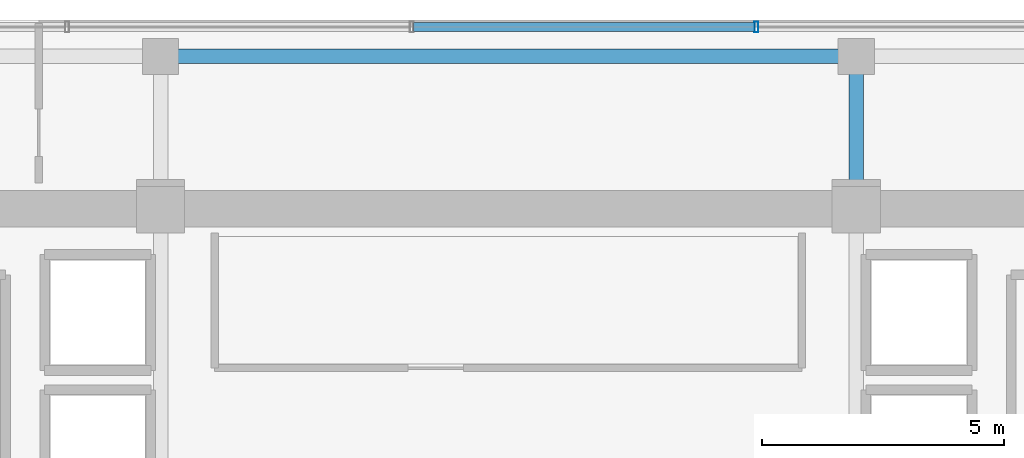
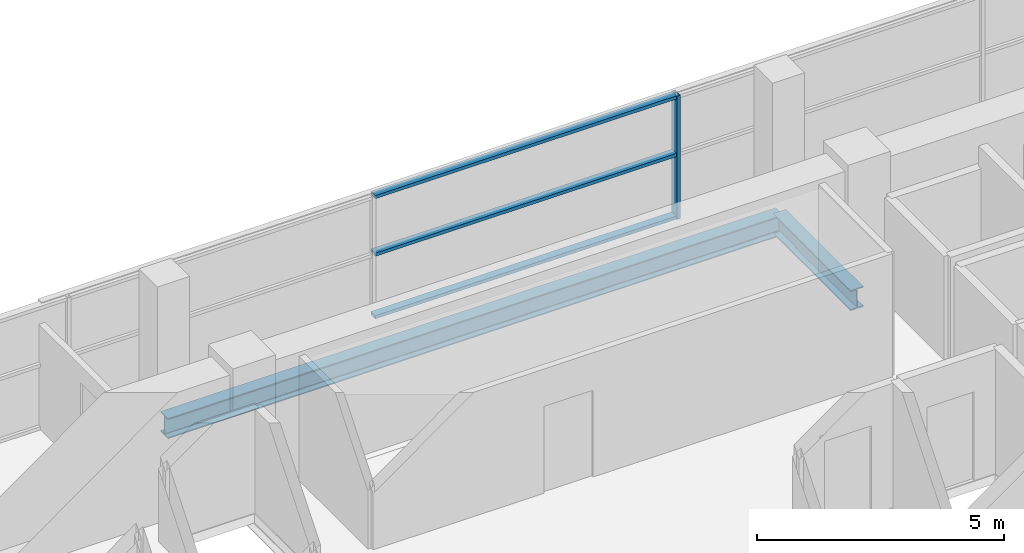
# One storey, part 15 of 25: 4 members, 2 beams, 1 element without a shape of its own.
"""IFC4 building model written with IfcOpenShell, lengths in metres."""

from ifc_helpers import new_model, si_unit, direction, frame, origin, origin_2d, place, context, subcontext, project, spatial, hollow_rectangle, i_section, extrude, source, transform, mapped, material, layer, layer_set, material_profile, profile_set, type_object, element, aggregate, save


model = new_model("IFC4")

# Units and contexts
model_context = context("Model", 3, precision=1e-05, world=origin(), true_north=direction((0.0, 1.0)))
body_context = subcontext(model_context, "Body", "Model", "MODEL_VIEW")
ifc_project = project(units=[si_unit("LENGTHUNIT", "METRE"), si_unit("AREAUNIT", "SQUARE_METRE"), si_unit("VOLUMEUNIT", "CUBIC_METRE"), si_unit("PLANEANGLEUNIT", "RADIAN"), si_unit("MASSUNIT", "GRAM", prefix="KILO")], contexts=[model_context])

# Site, building, storey
site_placement = place(None, origin())
site = spatial("IfcSite", under=ifc_project, at=site_placement, CompositionType="ELEMENT")
building_placement = place(site_placement, origin())
building = spatial("IfcBuilding", under=site, at=building_placement, Name="Zarnakvel Exchange Tower", CompositionType="ELEMENT")
storey_placement = place(building_placement, frame((0.0, 0.0, 169.300048828125)))
storey = spatial("IfcBuildingStorey", under=building, at=storey_placement, Name="L47", CompositionType="ELEMENT", Elevation=169.300048828125)

# Beams
ifc_material_1 = material(Name="Steel S355", Category="steel")
ifc_material_profile_1 = material_profile(ifc_material_1, i_section(OverallWidth=0.300048828125, OverallDepth=0.5, WebThickness=0.014404296875, FlangeThickness=0.028076171875, FilletRadius=0.027099609375, at=origin_2d()))
ifc_profile_set_1 = profile_set([ifc_material_profile_1], Name="Steel S355")
beam_type_1 = type_object("IfcBeamType", Name="G-06", PredefinedType="BEAM", material=ifc_profile_set_1)
beam_1_placement = place(storey_placement, frame((7.199951171875, 13.5, -0.47509765625), z_axis=(0.0, 1.0, 0.0), x_axis=(-1.0, 0.0, 0.0)))
element("IfcBeam", 1, at=beam_1_placement, inside=storey, type_object=beam_type_1, Name="L47 Tower N-S Frame Beam", PredefinedType="BEAM", context=body_context, shape_type="SweptSolid", body=[
    extrude(i_section(OverallWidth=0.300048828125, OverallDepth=0.5, WebThickness=0.014404296875, FlangeThickness=0.028076171875, FilletRadius=0.027099609375, at=origin_2d()), origin(), (0.0, 0.0, 1.0), 3.14990234375),
])
ifc_material_profile_2 = material_profile(ifc_material_1, i_section(OverallWidth=0.300048828125, OverallDepth=0.5, WebThickness=0.014404296875, FlangeThickness=0.028076171875, FilletRadius=0.027099609375, at=origin_2d()))
ifc_profile_set_2 = profile_set([ifc_material_profile_2], Name="Steel S355")
beam_type_2 = type_object("IfcBeamType", Name="SP-02", PredefinedType="SPANDREL", material=ifc_profile_set_2)
beam_2_placement = place(storey_placement, frame((-7.199951171875, 16.64990234375, -0.47509765625), z_axis=(1.0, 0.0, 0.0), x_axis=(0.0, 1.0, 0.0)))
element("IfcBeam", 2, at=beam_2_placement, inside=storey, type_object=beam_type_2, Name="L47 Tower E-W Frame Beam", PredefinedType="SPANDREL", context=body_context, shape_type="SweptSolid", body=[
    extrude(i_section(OverallWidth=0.300048828125, OverallDepth=0.5, WebThickness=0.014404296875, FlangeThickness=0.028076171875, FilletRadius=0.027099609375, at=origin_2d()), origin(), (0.0, 0.0, 1.0), 14.39990234375),
])

# Curtain wall, members
ifc_material_2 = material(Name="Architectural Bronze Anodised Aluminium", Category="aluminium")
ifc_layer = layer(ifc_material_2, 0.219970703125)
ifc_layer_set = layer_set([ifc_layer], Name="Architectural Bronze Anodised Aluminium")
curtain_wall_type = type_object("IfcCurtainWallType", Name="CW-03", PredefinedType="NOTDEFINED", material=ifc_layer_set)
curtain_wall_placement = place(storey_placement, origin())
curtain_wall = element("IfcCurtainWall", 3, at=curtain_wall_placement, inside=storey, type_object=curtain_wall_type, Name="L47 Curtain Wall CW-L47-N1 (CW-03)", PredefinedType="NOTDEFINED")
ifc_material_profile_3 = material_profile(ifc_material_2, hollow_rectangle(XDim=0.219970703125, YDim=0.080078125, WallThickness=0.0048828125, at=origin_2d()))
ifc_profile_set_3 = profile_set([ifc_material_profile_3], Name="Architectural Bronze Anodised Aluminium")
member_type_1 = type_object("IfcMemberType", Name="CWM-03", PredefinedType="MULLION", material=ifc_profile_set_3)
shared_shape_1 = source(origin(), body_context, "Body", "SweptSolid", [
    extrude(hollow_rectangle(XDim=0.219970703125, YDim=0.080078125, WallThickness=0.0048828125, at=origin_2d()), origin(), (0.0, 0.0, 1.0), 3.054931640625),
])
member_1_placement = place(storey_placement, frame((5.13330078125, 17.260009765625, 0.0), z_axis=(0.0, 0.0, 1.0), x_axis=(0.0, 1.0, 0.0)))
member_1 = element("IfcMember", 4, at=member_1_placement, type_object=member_type_1, Name="CW-03 mullion 5", PredefinedType="MULLION", context=body_context, shape_type="MappedRepresentation", body=[
    mapped(shared_shape_1, transform((0.0, 0.0, 0.0), x_axis=(1.0, 0.0, 0.0), y_axis=(0.0, 1.0, 0.0), z_axis=(0.0, 0.0, 1.0), scale=1.0)),
])
ifc_material_profile_4 = material_profile(ifc_material_2, hollow_rectangle(XDim=0.179931640625, YDim=0.080078125, WallThickness=0.00390625, at=origin_2d()))
ifc_profile_set_4 = profile_set([ifc_material_profile_4], Name="Architectural Bronze Anodised Aluminium")
member_type_2 = type_object("IfcMemberType", Name="CWT-03", PredefinedType="USERDEFINED", material=ifc_profile_set_4)
shared_shape_2 = source(origin(), body_context, "Body", "SweptSolid", [
    extrude(hollow_rectangle(XDim=0.179931640625, YDim=0.080078125, WallThickness=0.00390625, at=origin_2d()), origin(), (0.0, 0.0, 1.0), 7.05322265625),
])
member_2_placement = place(storey_placement, frame((-1.9599609375, 17.260009765625, 0.0400390625), z_axis=(1.0, 0.0, 0.0), x_axis=(0.0, 1.0, 0.0)))
member_2 = element("IfcMember", 5, at=member_2_placement, type_object=member_type_2, Name="CW-03 transom 4.1", ObjectType="TRANSOM", PredefinedType="USERDEFINED", context=body_context, shape_type="MappedRepresentation", body=[
    mapped(shared_shape_2, transform((0.0, 0.0, 0.0), x_axis=(1.0, 0.0, 0.0), y_axis=(0.0, 1.0, 0.0), z_axis=(0.0, 0.0, 1.0), scale=1.0)),
])
member_3_placement = place(storey_placement, frame((-1.9599609375, 17.260009765625, 1.588623046875), z_axis=(1.0, 0.0, 0.0), x_axis=(0.0, 1.0, 0.0)))
member_3 = element("IfcMember", 6, at=member_3_placement, type_object=member_type_2, Name="CW-03 transom 4.2", ObjectType="TRANSOM", PredefinedType="USERDEFINED", context=body_context, shape_type="MappedRepresentation", body=[
    mapped(shared_shape_2, transform((0.0, 0.0, 0.0), x_axis=(1.0, 0.0, 0.0), y_axis=(0.0, 1.0, 0.0), z_axis=(0.0, 0.0, 1.0), scale=1.0)),
])
member_4_placement = place(storey_placement, frame((-1.9599609375, 17.260009765625, 3.014892578125), z_axis=(1.0, 0.0, 0.0), x_axis=(0.0, 1.0, 0.0)))
member_4 = element("IfcMember", 7, at=member_4_placement, type_object=member_type_2, Name="CW-03 transom 4.3", ObjectType="TRANSOM", PredefinedType="USERDEFINED", context=body_context, shape_type="MappedRepresentation", body=[
    mapped(shared_shape_2, transform((0.0, 0.0, 0.0), x_axis=(1.0, 0.0, 0.0), y_axis=(0.0, 1.0, 0.0), z_axis=(0.0, 0.0, 1.0), scale=1.0)),
])
aggregate(curtain_wall, [member_1, member_2, member_3, member_4])

save(model, "model.ifc")
